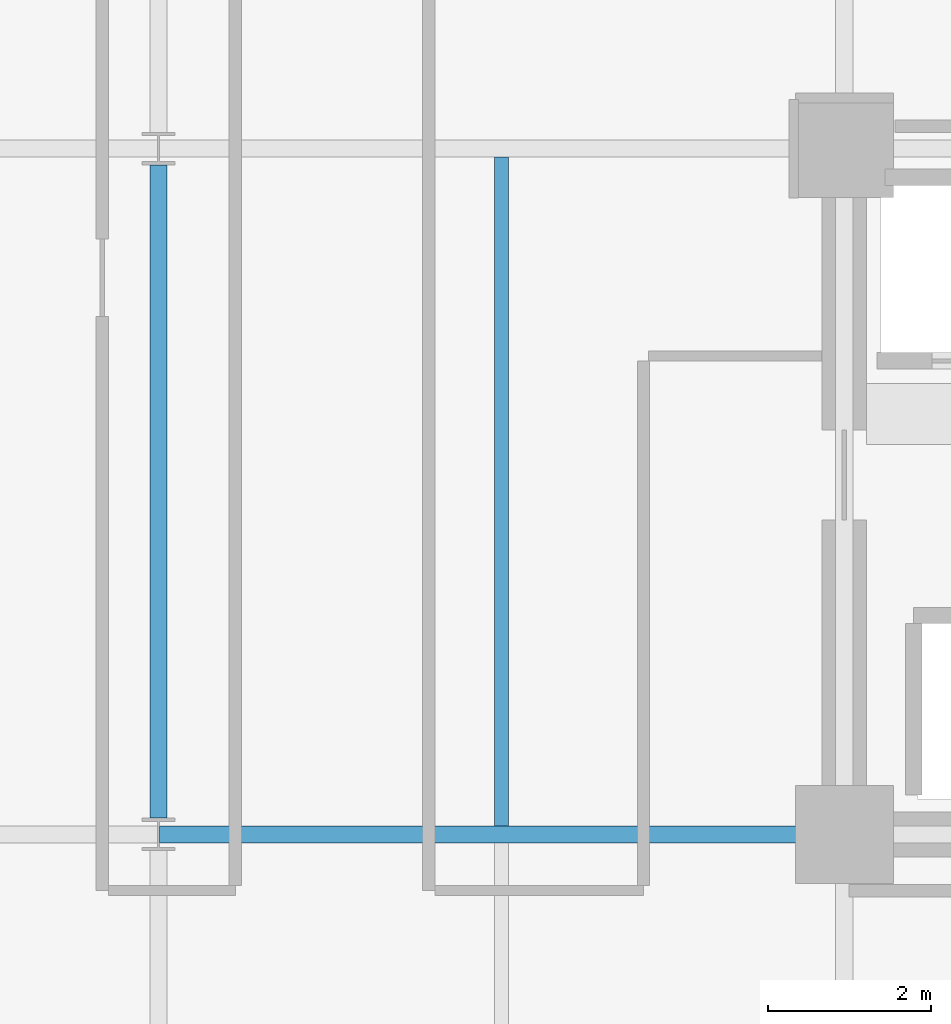
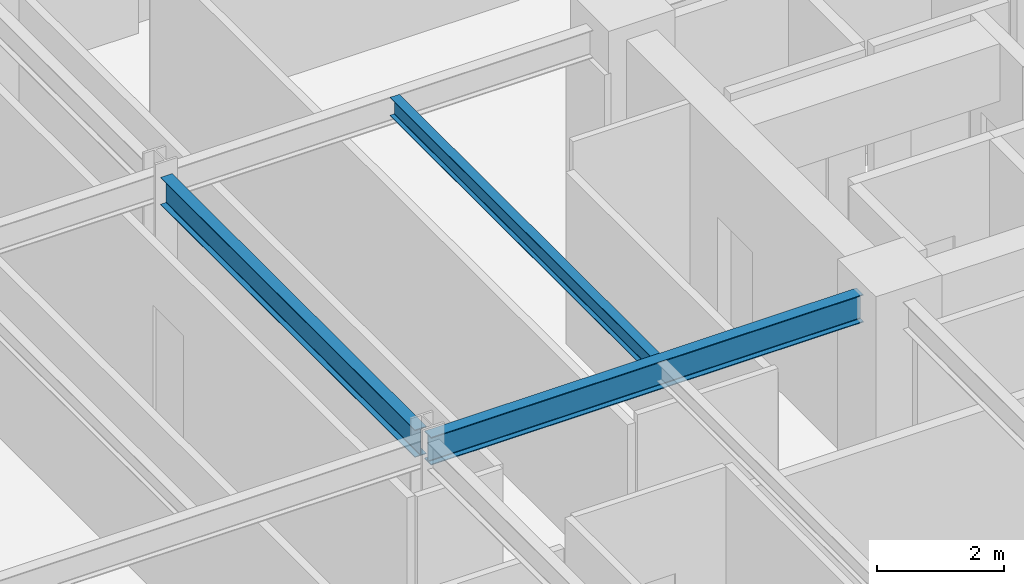
# One storey, part 5 of 30: 3 beams.
"""IFC4 building model written with IfcOpenShell, lengths in metres."""

from ifc_helpers import new_model, si_unit, direction, frame, origin, origin_2d, place, context, subcontext, project, spatial, i_section, extrude, material, material_profile, profile_set, type_object, element, save


model = new_model("IFC4")

# Units and contexts
model_context = context("Model", 3, precision=1e-05, world=origin(), true_north=direction((0.0, 1.0)))
body_context = subcontext(model_context, "Body", "Model", "MODEL_VIEW")
ifc_project = project(units=[si_unit("LENGTHUNIT", "METRE"), si_unit("AREAUNIT", "SQUARE_METRE"), si_unit("VOLUMEUNIT", "CUBIC_METRE"), si_unit("PLANEANGLEUNIT", "RADIAN"), si_unit("MASSUNIT", "GRAM", prefix="KILO")], contexts=[model_context])

# Site, building, storey
site_placement = place(None, origin())
site = spatial("IfcSite", under=ifc_project, at=site_placement, CompositionType="ELEMENT")
building_placement = place(site_placement, origin())
building = spatial("IfcBuilding", under=site, at=building_placement, Name="Nerrivon Quay Data Exchange", CompositionType="ELEMENT")
storey_placement = place(building_placement, frame((0.0, 0.0, 154.10009765625)))
storey = spatial("IfcBuildingStorey", under=building, at=storey_placement, Name="L36", CompositionType="ELEMENT", Elevation=154.10009765625)

# Beams
ifc_material = material(Name="Steel Grade 350", Category="steel")
ifc_material_profile_1 = material_profile(ifc_material, i_section(OverallWidth=0.208984375, OverallDepth=0.532958984375, WebThickness=0.01025390625, FlangeThickness=0.015625, FilletRadius=0.013916015625, at=origin_2d()), Name="530UB92.4")
ifc_profile_set_1 = profile_set([ifc_material_profile_1], Name="Steel Grade 350")
beam_type_1 = type_object("IfcBeamType", Name="BM-G3-530UB92", PredefinedType="BEAM", material=ifc_profile_set_1)
beam_1_placement = place(storey_placement, frame((8.41259765625, 8.39990234375, 3.558349609375), z_axis=(1.0, 0.0, 0.0), x_axis=(0.0, 1.0, 0.0)))
element("IfcBeam", 1, at=beam_1_placement, inside=storey, type_object=beam_type_1, Name="L36 EW Girder Y=8.4 (8.4..16.8)", PredefinedType="BEAM", context=body_context, shape_type="SweptSolid", body=[
    extrude(i_section(OverallWidth=0.208984375, OverallDepth=0.532958984375, WebThickness=0.01025390625, FlangeThickness=0.015625, FilletRadius=0.013916015625, at=origin_2d()), origin(), (0.0, 0.0, 1.0), 7.847412109375),
])
ifc_material_profile_2 = material_profile(ifc_material, i_section(OverallWidth=0.208984375, OverallDepth=0.528076171875, WebThickness=0.009521484375, FlangeThickness=0.01318359375, FilletRadius=0.013916015625, at=origin_2d()), Name="530UB82.0")
ifc_profile_set_2 = profile_set([ifc_material_profile_2], Name="Steel Grade 350")
beam_type_2 = type_object("IfcBeamType", Name="BM-G4-530UB82", PredefinedType="BEAM", material=ifc_profile_set_2)
beam_2_placement = place(storey_placement, frame((8.39990234375, 8.60009765625, 3.560791015625), z_axis=(0.0, 1.0, 0.0), x_axis=(-1.0, 0.0, 0.0)))
element("IfcBeam", 2, at=beam_2_placement, inside=storey, type_object=beam_type_2, Name="L36 NS Girder X=8.4 (8.4..16.8)", PredefinedType="BEAM", context=body_context, shape_type="SweptSolid", body=[
    extrude(i_section(OverallWidth=0.208984375, OverallDepth=0.528076171875, WebThickness=0.009521484375, FlangeThickness=0.01318359375, FilletRadius=0.013916015625, at=origin_2d()), origin(), (0.0, 0.0, 1.0), 8.0),
])
ifc_material_profile_3 = material_profile(ifc_material, i_section(OverallWidth=0.1708984375, OverallDepth=0.35595703125, WebThickness=0.00732421875, FlangeThickness=0.011474609375, FilletRadius=0.011474609375, at=origin_2d()), Name="360UB50.7")
ifc_profile_set_3 = profile_set([ifc_material_profile_3], Name="Steel Grade 350")
beam_type_3 = type_object("IfcBeamType", Name="BM-J4-360UB51", PredefinedType="JOIST", material=ifc_profile_set_3)
beam_3_placement = place(storey_placement, frame((12.60009765625, 8.50439453125, 3.64697265625), z_axis=(0.0, 1.0, 0.0), x_axis=(-1.0, 0.0, 0.0)))
element("IfcBeam", 3, at=beam_3_placement, inside=storey, type_object=beam_type_3, Name="L36 Secondary Joist X=12.6 (8.4..16.8)", PredefinedType="JOIST", context=body_context, shape_type="SweptSolid", body=[
    extrude(i_section(OverallWidth=0.1708984375, OverallDepth=0.35595703125, WebThickness=0.00732421875, FlangeThickness=0.011474609375, FilletRadius=0.011474609375, at=origin_2d()), origin(), (0.0, 0.0, 1.0), 8.191162109375),
])

save(model, "model.ifc")
